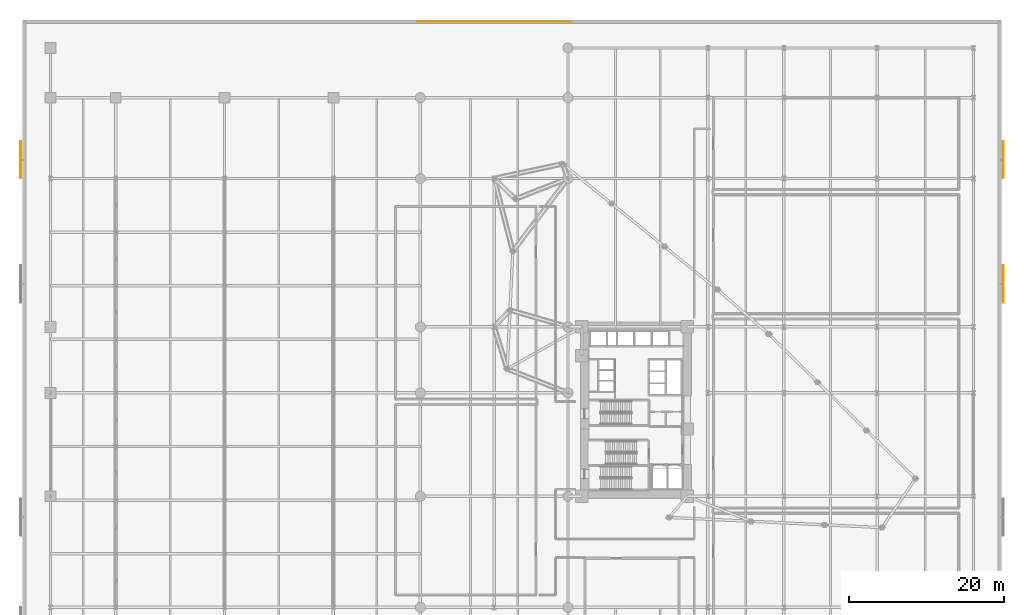
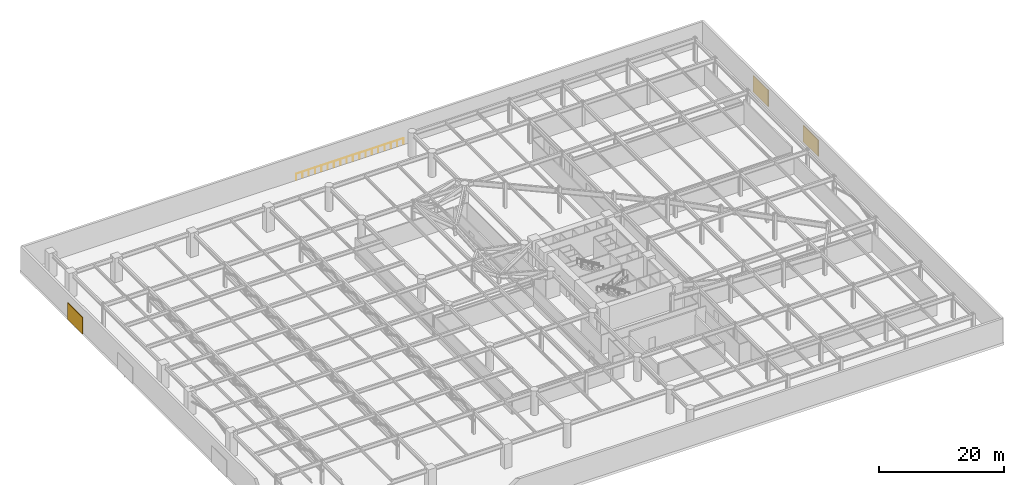
# One storey, part 40 of 40: 3 shading devices, 1 railing.
"""IFC4 building model written with IfcOpenShell, lengths in metres."""

import ifcopenshell
import ifcopenshell.guid

model = None  # the IFC model being written
_history = None  # IfcOwnerHistory: only IFC2X3 demands one
_inside = {}  # id of a spatial element -> (the spatial element, [elements in it])
_under = {}  # id of a project, library or spatial element -> (it, [spatial elements below it])
_declared = {}  # id of a project -> (the project, [libraries it declares])
_typed = {}  # id of a type object -> (the type object, [elements of that type])
_made_of = {}  # id of a material, layer set ... -> (it, [elements and type objects made of it])


def new_model(schema):
    """Start an empty IFC model of exactly this schema.

    Asked for "IFC4X3", IfcOpenShell would pick the latest addendum, in which some entities
    have other attributes; the version numbers below select the first issue.
    IFC2X3 requires an IfcOwnerHistory on every rooted entity: one is made here for all.
    """
    global model, _history
    if schema == "IFC4X3":
        model = ifcopenshell.file(schema_version=(4, 3, 0, 0))
    else:
        model = ifcopenshell.file(schema=schema)
    _inside.clear()
    _under.clear()
    _declared.clear()
    _typed.clear()
    _made_of.clear()
    _history = None
    if model.schema == "IFC2X3":
        org = make("IfcOrganization", Name="unknown")
        user = make(
            "IfcPersonAndOrganization",
            ThePerson=make("IfcPerson", FamilyName="unknown"),
            TheOrganization=org,
        )
        app = make(
            "IfcApplication",
            ApplicationDeveloper=org,
            Version="unknown",
            ApplicationFullName="unknown",
            ApplicationIdentifier="unknown",
        )
        _history = make(
            "IfcOwnerHistory",
            OwningUser=user,
            OwningApplication=app,
            ChangeAction="ADDED",
            CreationDate=0,
        )
    return model


def make(cls, **values):
    """One entity of the class cls with the attributes given. An attribute that is None is left unset."""
    return model.create_entity(
        cls, **{name: value for name, value in values.items() if value is not None}
    )


def rooted(cls, **values):
    """An entity with a GlobalId (a new one), such as an element, a storey or a relation."""
    return make(cls, GlobalId=ifcopenshell.guid.new(), OwnerHistory=_history, **values)


def si_unit(unit_type, name, prefix=None):
    """IfcSIUnit, for example si_unit("LENGTHUNIT", "METRE", prefix="MILLI")."""
    return make("IfcSIUnit", UnitType=unit_type, Prefix=prefix, Name=name)


def assignment(units):
    """IfcUnitAssignment: the units of a project."""
    return None if units is None else make("IfcUnitAssignment", Units=units)


def point(xyz):
    """IfcCartesianPoint."""
    return None if xyz is None else make("IfcCartesianPoint", Coordinates=xyz)


def direction(xyz):
    """IfcDirection."""
    return None if xyz is None else make("IfcDirection", DirectionRatios=xyz)


def frame(location, z_axis=None, x_axis=None):
    """IfcAxis2Placement3D, a coordinate frame: its origin and axes. An axis left out is left unset."""
    return make(
        "IfcAxis2Placement3D",
        Location=point(location),
        Axis=direction(z_axis),
        RefDirection=direction(x_axis),
    )


def frame_2d(location, x_axis=None):
    """IfcAxis2Placement2D, a coordinate frame in the plane: its origin and x axis."""
    return make(
        "IfcAxis2Placement2D", Location=point(location), RefDirection=direction(x_axis)
    )


def origin():
    """The frame at (0, 0, 0) with its axes left unset."""
    return frame((0.0, 0.0, 0.0))


def origin_2d():
    """The frame at (0, 0) in the plane with its x axis left unset."""
    return frame_2d((0.0, 0.0))


def place(relative_to, where):
    """IfcLocalPlacement: puts the frame where relative to a parent placement (None: the world)."""
    return make(
        "IfcLocalPlacement", PlacementRelTo=relative_to, RelativePlacement=where
    )


def context(
    kind, dimensions, precision=None, world=None, true_north=None, identifier=None
):
    """IfcGeometricRepresentationContext, for example the 3D "Model" context."""
    return make(
        "IfcGeometricRepresentationContext",
        ContextIdentifier=identifier,
        ContextType=kind,
        CoordinateSpaceDimension=dimensions,
        Precision=precision,
        WorldCoordinateSystem=world,
        TrueNorth=true_north,
    )


def subcontext(parent, identifier, kind, view, scale=None):
    """IfcGeometricRepresentationSubContext, for example "Body" below "Model"."""
    return make(
        "IfcGeometricRepresentationSubContext",
        ContextIdentifier=identifier,
        ContextType=kind,
        ParentContext=parent,
        TargetScale=scale,
        TargetView=view,
    )


def project(units=None, contexts=None):
    """IfcProject with its units and contexts."""
    return rooted(
        "IfcProject",
        Name="project",
        RepresentationContexts=contexts,
        UnitsInContext=assignment(units),
    )


def spatial(cls, under=None, at=None, **own):
    """A site, building, storey or space (cls), placed at a placement, below another one or the project."""
    s = rooted(cls, ObjectPlacement=at, **own)
    if under is not None:
        _under.setdefault(under.id(), (under, []))[1].append(s)
    return s


def profile(cls, at=None, kind="AREA", **sizes):
    """A parametric profile (cls). Its sizes go by their IFC names, for example OverallWidth=200.0."""
    return make(cls, ProfileType=kind, Position=at, **sizes)


def rectangle(**sizes):
    """IfcRectangleProfileDef."""
    return profile("IfcRectangleProfileDef", **sizes)


def circle(**sizes):
    """IfcCircleProfileDef."""
    return profile("IfcCircleProfileDef", **sizes)


def extrude(swept, where, along, depth):
    """IfcExtrudedAreaSolid: the profile swept, set in the frame where, extruded along a direction by depth."""
    return make(
        "IfcExtrudedAreaSolid",
        SweptArea=swept,
        Position=where,
        ExtrudedDirection=direction(along),
        Depth=depth,
    )


def shape(context_of_items, identifier, shape_type, items):
    """IfcShapeRepresentation: the items that make up one representation, for example the "Body"."""
    return make(
        "IfcShapeRepresentation",
        ContextOfItems=context_of_items,
        RepresentationIdentifier=identifier,
        RepresentationType=shape_type,
        Items=items,
    )


def material(Name=None, Category=None):
    """IfcMaterial."""
    return make("IfcMaterial", Name=Name, Category=Category)


def layer(
    of_material, thickness, ventilated=None, Name=None, Category=None, Priority=None
):
    """IfcMaterialLayer: one layer of a wall or slab, of a material (None: an air gap)."""
    return make(
        "IfcMaterialLayer",
        Material=of_material,
        LayerThickness=thickness,
        IsVentilated=ventilated,
        Name=Name,
        Category=Category,
        Priority=Priority,
    )


def layer_set(layers, Name=None):
    """IfcMaterialLayerSet."""
    return make("IfcMaterialLayerSet", MaterialLayers=layers, LayerSetName=Name)


def made_of(thing, what):
    """Note that an element or type object is made of a material, layer set ...; save() writes the relation."""
    if what is not None:
        _made_of.setdefault(what.id(), (what, []))[1].append(thing)
    return thing


def type_object(cls, material=None, **own):
    """A type object (cls), such as IfcWallType, which elements share."""
    return made_of(rooted(cls, **own), material)


def element(
    cls,
    number,
    at=None,
    inside=None,
    cuts=None,
    type_object=None,
    material=None,
    context=None,
    identifier="Body",
    shape_type=None,
    held_by="IfcProductDefinitionShape",
    body=None,
    shapes=None,
    **own,
):
    """One element of the class cls, such as IfcWall. Its Tag is "e" and its number.

    at: its placement. inside: the storey or other place that contains it. cuts: it is an
    opening in that element (IfcRelVoidsElement). A single representation is given by context,
    identifier, shape_type and body (its items); several are given by shapes. held_by: the class
    of the entity that holds the representations. save() writes the other relations.
    """
    e = rooted(cls, Tag="e%d" % number, ObjectPlacement=at, **own)
    if body is not None:
        shapes = [shape(context, identifier, shape_type, body)]
    if shapes is not None:
        e.Representation = make(held_by, Representations=shapes)
    if inside is not None:
        _inside.setdefault(inside.id(), (inside, []))[1].append(e)
    if cuts is not None:
        rooted(
            "IfcRelVoidsElement", RelatingBuildingElement=cuts, RelatedOpeningElement=e
        )
    if type_object is not None:
        _typed.setdefault(type_object.id(), (type_object, []))[1].append(e)
    return made_of(e, material)


def aggregate(whole, parts):
    """IfcRelAggregates: a whole, such as a stair, and the parts it consists of."""
    return rooted("IfcRelAggregates", RelatingObject=whole, RelatedObjects=parts)


def save(model, path):
    """Write the relations noted so far, then the file.

    IfcRelAggregates (storeys below a building ...), IfcRelContainedInSpatialStructure (elements
    in a storey), IfcRelDefinesByType, IfcRelAssociatesMaterial and IfcRelDeclares: one each for
    every whole, place, type object, material and project.
    """
    for whole, parts in _under.values():
        aggregate(whole, parts)
    for where, things in _inside.values():
        rooted(
            "IfcRelContainedInSpatialStructure",
            RelatedElements=things,
            RelatingStructure=where,
        )
    for kind, things in _typed.values():
        rooted("IfcRelDefinesByType", RelatedObjects=things, RelatingType=kind)
    for what, things in _made_of.values():
        rooted("IfcRelAssociatesMaterial", RelatedObjects=things, RelatingMaterial=what)
    for by, libraries in _declared.values():
        rooted("IfcRelDeclares", RelatingContext=by, RelatedDefinitions=libraries)
    model.write(path)


model = new_model("IFC4")

# Units and contexts
model_context = context("Model", 3, precision=1e-05, world=origin(), true_north=direction((0.0, 1.0)))
body_context = subcontext(model_context, "Body", "Model", "MODEL_VIEW")
ifc_project = project(units=[si_unit("LENGTHUNIT", "METRE"), si_unit("AREAUNIT", "SQUARE_METRE"), si_unit("VOLUMEUNIT", "CUBIC_METRE"), si_unit("PLANEANGLEUNIT", "RADIAN"), si_unit("MASSUNIT", "GRAM", prefix="KILO")], contexts=[model_context])

# Site, building, storey
site_placement = place(None, origin())
site = spatial("IfcSite", under=ifc_project, at=site_placement, CompositionType="ELEMENT")
building_placement = place(site_placement, origin())
building = spatial("IfcBuilding", under=site, at=building_placement, Name="Narakoshi Arena Tower", CompositionType="ELEMENT")
storey_placement = place(building_placement, frame((0.0, 0.0, 21.60009765625)))
storey = spatial("IfcBuildingStorey", under=building, at=storey_placement, Name="L05", CompositionType="ELEMENT", Elevation=21.60009765625)

# Railing
ifc_material_1 = material(Name="Brushed bronze stainless steel", Category="steel")
railing_type = type_object("IfcRailingType", Name="RL-GRD-1150", PredefinedType="GUARDRAIL", material=ifc_material_1)
railing_placement = place(storey_placement, frame((50.800048828125, 95.780029296875, 0.0)))
element("IfcRailing", 1, at=railing_placement, inside=storey, type_object=railing_type, Name="L05 Concourse Portal Sill Guardrail PN", PredefinedType="GUARDRAIL", context=body_context, shape_type="SweptSolid", body=[
    extrude(circle(Radius=0.02392578125, at=origin_2d()), frame((0.0, 0.0, 1.1259765625), z_axis=(1.0, 0.0, 0.0), x_axis=(0.0, 1.0, 0.0)), (0.0, 0.0, 1.0), 19.800048828125),
    extrude(circle(Radius=0.02099609375, at=origin_2d()), origin(), (0.0, 0.0, 1.0), 1.101806640625),
    extrude(circle(Radius=0.02099609375, at=origin_2d()), frame((1.164794921875, 0.0, 0.0)), (0.0, 0.0, 1.0), 1.101806640625),
    extrude(circle(Radius=0.02099609375, at=origin_2d()), frame((2.329345703125, 0.0, 0.0)), (0.0, 0.0, 1.0), 1.101806640625),
    extrude(circle(Radius=0.02099609375, at=origin_2d()), frame((3.494140625, 0.0, 0.0)), (0.0, 0.0, 1.0), 1.101806640625),
    extrude(circle(Radius=0.02099609375, at=origin_2d()), frame((4.658935546875, 0.0, 0.0)), (0.0, 0.0, 1.0), 1.101806640625),
    extrude(circle(Radius=0.02099609375, at=origin_2d()), frame((5.823486328125, 0.0, 0.0)), (0.0, 0.0, 1.0), 1.101806640625),
    extrude(circle(Radius=0.02099609375, at=origin_2d()), frame((6.98828125, 0.0, 0.0)), (0.0, 0.0, 1.0), 1.101806640625),
    extrude(circle(Radius=0.02099609375, at=origin_2d()), frame((8.153076171875, 0.0, 0.0)), (0.0, 0.0, 1.0), 1.101806640625),
    extrude(circle(Radius=0.02099609375, at=origin_2d()), frame((9.317626953125, 0.0, 0.0)), (0.0, 0.0, 1.0), 1.101806640625),
    extrude(circle(Radius=0.02099609375, at=origin_2d()), frame((10.482421875, 0.0, 0.0)), (0.0, 0.0, 1.0), 1.101806640625),
    extrude(circle(Radius=0.02099609375, at=origin_2d()), frame((11.64697265625, 0.0, 0.0)), (0.0, 0.0, 1.0), 1.101806640625),
    extrude(circle(Radius=0.02099609375, at=origin_2d()), frame((12.811767578125, 0.0, 0.0)), (0.0, 0.0, 1.0), 1.101806640625),
    extrude(circle(Radius=0.02099609375, at=origin_2d()), frame((13.9765625, 0.0, 0.0)), (0.0, 0.0, 1.0), 1.101806640625),
    extrude(circle(Radius=0.02099609375, at=origin_2d()), frame((15.14111328125, 0.0, 0.0)), (0.0, 0.0, 1.0), 1.101806640625),
    extrude(circle(Radius=0.02099609375, at=origin_2d()), frame((16.305908203125, 0.0, 0.0)), (0.0, 0.0, 1.0), 1.101806640625),
    extrude(circle(Radius=0.02099609375, at=origin_2d()), frame((17.470703125, 0.0, 0.0)), (0.0, 0.0, 1.0), 1.101806640625),
    extrude(circle(Radius=0.02099609375, at=origin_2d()), frame((18.63525390625, 0.0, 0.0)), (0.0, 0.0, 1.0), 1.101806640625),
    extrude(circle(Radius=0.02099609375, at=origin_2d()), frame((19.800048828125, 0.0, 0.0)), (0.0, 0.0, 1.0), 1.101806640625),
])

# Shading devices
ifc_material_2 = material(Name="Anodised bronze aluminium 6063-T6", Category="aluminium")
ifc_layer = layer(ifc_material_2, 0.1201171875)
ifc_layer_set = layer_set([ifc_layer], Name="Anodised bronze aluminium 6063-T6")
shading_device_type = type_object("IfcShadingDeviceType", Name="SHD-LVR-PLT", PredefinedType="JALOUSIE", material=ifc_layer_set)
for number, where, z_axis, x_axis, name in (
    (2, (126.219970703125, 62.0, 0.0), (0.0, 0.0, 1.0), (0.0, 1.0, 0.0), "L05 Podium Plant Acoustic Louvre Bank E3"),
    (3, (126.219970703125, 78.0, 0.0), (0.0, 0.0, 1.0), (0.0, 1.0, 0.0), "L05 Podium Plant Acoustic Louvre Bank E4"),
    (4, (-0.219970703125, 78.0, 0.0), (0.0, 0.0, 1.0), (0.0, 1.0, 0.0), "L05 Podium Plant Acoustic Louvre Bank W4"),
):
    element("IfcShadingDevice", number, at=place(storey_placement, frame(where, z_axis=z_axis, x_axis=x_axis)), inside=storey, type_object=shading_device_type, Name=name, PredefinedType="JALOUSIE", context=body_context, shape_type="SweptSolid", body=[
        extrude(rectangle(XDim=4.800048828125, YDim=0.1201171875, at=origin_2d()), origin(), (0.0, 0.0, 1.0), 3.199951171875),
    ])

save(model, "model.ifc")
